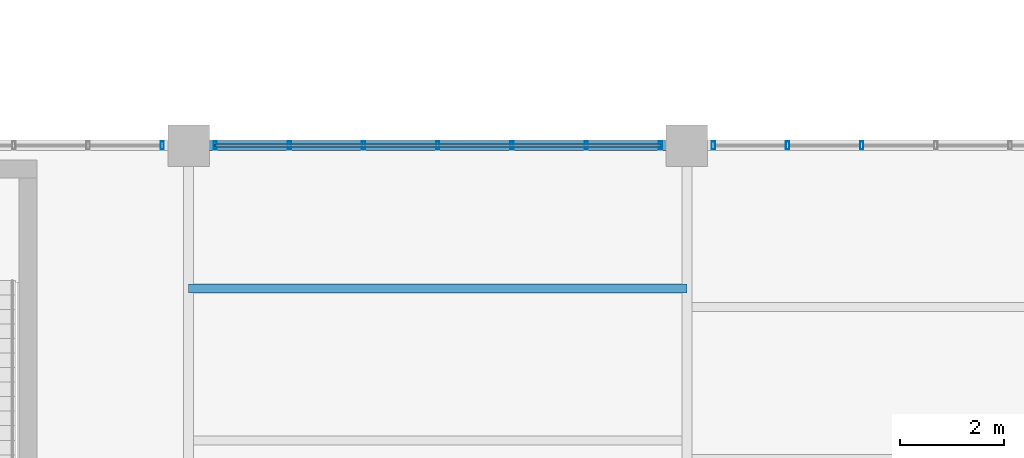
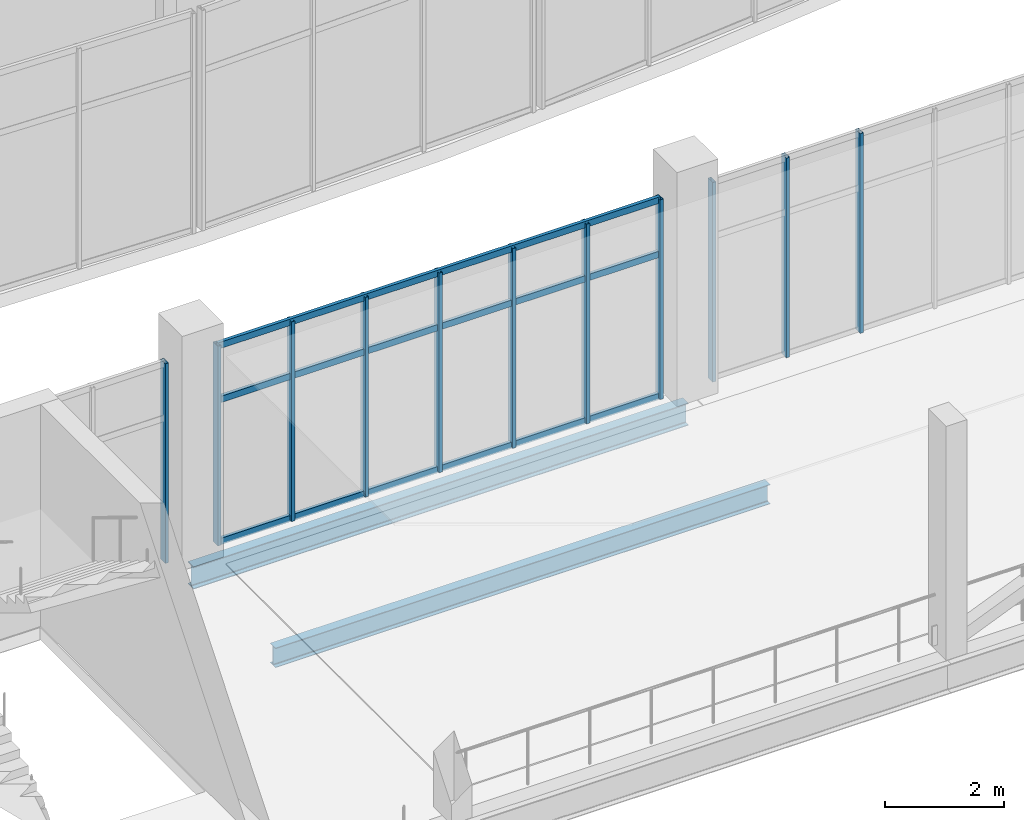
# One storey, part 60 of 157: 14 members, 2 beams, 3 elements without a shape of their own.
"""IFC4 building model written with IfcOpenShell, lengths in metres."""

import ifcopenshell
import ifcopenshell.guid

model = None  # the IFC model being written
_history = None  # IfcOwnerHistory: only IFC2X3 demands one
_inside = {}  # id of a spatial element -> (the spatial element, [elements in it])
_under = {}  # id of a project, library or spatial element -> (it, [spatial elements below it])
_declared = {}  # id of a project -> (the project, [libraries it declares])
_typed = {}  # id of a type object -> (the type object, [elements of that type])
_made_of = {}  # id of a material, layer set ... -> (it, [elements and type objects made of it])


def new_model(schema):
    """Start an empty IFC model of exactly this schema.

    Asked for "IFC4X3", IfcOpenShell would pick the latest addendum, in which some entities
    have other attributes; the version numbers below select the first issue.
    IFC2X3 requires an IfcOwnerHistory on every rooted entity: one is made here for all.
    """
    global model, _history
    if schema == "IFC4X3":
        model = ifcopenshell.file(schema_version=(4, 3, 0, 0))
    else:
        model = ifcopenshell.file(schema=schema)
    _inside.clear()
    _under.clear()
    _declared.clear()
    _typed.clear()
    _made_of.clear()
    _history = None
    if model.schema == "IFC2X3":
        org = make("IfcOrganization", Name="unknown")
        user = make(
            "IfcPersonAndOrganization",
            ThePerson=make("IfcPerson", FamilyName="unknown"),
            TheOrganization=org,
        )
        app = make(
            "IfcApplication",
            ApplicationDeveloper=org,
            Version="unknown",
            ApplicationFullName="unknown",
            ApplicationIdentifier="unknown",
        )
        _history = make(
            "IfcOwnerHistory",
            OwningUser=user,
            OwningApplication=app,
            ChangeAction="ADDED",
            CreationDate=0,
        )
    return model


def make(cls, **values):
    """One entity of the class cls with the attributes given. An attribute that is None is left unset."""
    return model.create_entity(
        cls, **{name: value for name, value in values.items() if value is not None}
    )


def rooted(cls, **values):
    """An entity with a GlobalId (a new one), such as an element, a storey or a relation."""
    return make(cls, GlobalId=ifcopenshell.guid.new(), OwnerHistory=_history, **values)


def si_unit(unit_type, name, prefix=None):
    """IfcSIUnit, for example si_unit("LENGTHUNIT", "METRE", prefix="MILLI")."""
    return make("IfcSIUnit", UnitType=unit_type, Prefix=prefix, Name=name)


def assignment(units):
    """IfcUnitAssignment: the units of a project."""
    return None if units is None else make("IfcUnitAssignment", Units=units)


def point(xyz):
    """IfcCartesianPoint."""
    return None if xyz is None else make("IfcCartesianPoint", Coordinates=xyz)


def direction(xyz):
    """IfcDirection."""
    return None if xyz is None else make("IfcDirection", DirectionRatios=xyz)


def frame(location, z_axis=None, x_axis=None):
    """IfcAxis2Placement3D, a coordinate frame: its origin and axes. An axis left out is left unset."""
    return make(
        "IfcAxis2Placement3D",
        Location=point(location),
        Axis=direction(z_axis),
        RefDirection=direction(x_axis),
    )


def frame_2d(location, x_axis=None):
    """IfcAxis2Placement2D, a coordinate frame in the plane: its origin and x axis."""
    return make(
        "IfcAxis2Placement2D", Location=point(location), RefDirection=direction(x_axis)
    )


def origin():
    """The frame at (0, 0, 0) with its axes left unset."""
    return frame((0.0, 0.0, 0.0))


def origin_2d():
    """The frame at (0, 0) in the plane with its x axis left unset."""
    return frame_2d((0.0, 0.0))


def place(relative_to, where):
    """IfcLocalPlacement: puts the frame where relative to a parent placement (None: the world)."""
    return make(
        "IfcLocalPlacement", PlacementRelTo=relative_to, RelativePlacement=where
    )


def context(
    kind, dimensions, precision=None, world=None, true_north=None, identifier=None
):
    """IfcGeometricRepresentationContext, for example the 3D "Model" context."""
    return make(
        "IfcGeometricRepresentationContext",
        ContextIdentifier=identifier,
        ContextType=kind,
        CoordinateSpaceDimension=dimensions,
        Precision=precision,
        WorldCoordinateSystem=world,
        TrueNorth=true_north,
    )


def subcontext(parent, identifier, kind, view, scale=None):
    """IfcGeometricRepresentationSubContext, for example "Body" below "Model"."""
    return make(
        "IfcGeometricRepresentationSubContext",
        ContextIdentifier=identifier,
        ContextType=kind,
        ParentContext=parent,
        TargetScale=scale,
        TargetView=view,
    )


def project(units=None, contexts=None):
    """IfcProject with its units and contexts."""
    return rooted(
        "IfcProject",
        Name="project",
        RepresentationContexts=contexts,
        UnitsInContext=assignment(units),
    )


def spatial(cls, under=None, at=None, **own):
    """A site, building, storey or space (cls), placed at a placement, below another one or the project."""
    s = rooted(cls, ObjectPlacement=at, **own)
    if under is not None:
        _under.setdefault(under.id(), (under, []))[1].append(s)
    return s


def profile(cls, at=None, kind="AREA", **sizes):
    """A parametric profile (cls). Its sizes go by their IFC names, for example OverallWidth=200.0."""
    return make(cls, ProfileType=kind, Position=at, **sizes)


def hollow_rectangle(**sizes):
    """IfcRectangleHollowProfileDef."""
    return profile("IfcRectangleHollowProfileDef", **sizes)


def i_section(**sizes):
    """IfcIShapeProfileDef."""
    return profile("IfcIShapeProfileDef", **sizes)


def extrude(swept, where, along, depth):
    """IfcExtrudedAreaSolid: the profile swept, set in the frame where, extruded along a direction by depth."""
    return make(
        "IfcExtrudedAreaSolid",
        SweptArea=swept,
        Position=where,
        ExtrudedDirection=direction(along),
        Depth=depth,
    )


def shape(context_of_items, identifier, shape_type, items):
    """IfcShapeRepresentation: the items that make up one representation, for example the "Body"."""
    return make(
        "IfcShapeRepresentation",
        ContextOfItems=context_of_items,
        RepresentationIdentifier=identifier,
        RepresentationType=shape_type,
        Items=items,
    )


def material(Name=None, Category=None):
    """IfcMaterial."""
    return make("IfcMaterial", Name=Name, Category=Category)


def layer(
    of_material, thickness, ventilated=None, Name=None, Category=None, Priority=None
):
    """IfcMaterialLayer: one layer of a wall or slab, of a material (None: an air gap)."""
    return make(
        "IfcMaterialLayer",
        Material=of_material,
        LayerThickness=thickness,
        IsVentilated=ventilated,
        Name=Name,
        Category=Category,
        Priority=Priority,
    )


def layer_set(layers, Name=None):
    """IfcMaterialLayerSet."""
    return make("IfcMaterialLayerSet", MaterialLayers=layers, LayerSetName=Name)


def material_profile(
    of_material, cross_section, Name=None, Category=None, Priority=None
):
    """IfcMaterialProfile: a cross section and its material."""
    return make(
        "IfcMaterialProfile",
        Name=Name,
        Material=of_material,
        Profile=cross_section,
        Priority=Priority,
        Category=Category,
    )


def profile_set(profiles, Name=None, composite=None):
    """IfcMaterialProfileSet."""
    return make(
        "IfcMaterialProfileSet",
        Name=Name,
        MaterialProfiles=profiles,
        CompositeProfile=composite,
    )


def made_of(thing, what):
    """Note that an element or type object is made of a material, layer set ...; save() writes the relation."""
    if what is not None:
        _made_of.setdefault(what.id(), (what, []))[1].append(thing)
    return thing


def type_object(cls, material=None, **own):
    """A type object (cls), such as IfcWallType, which elements share."""
    return made_of(rooted(cls, **own), material)


def element(
    cls,
    number,
    at=None,
    inside=None,
    cuts=None,
    type_object=None,
    material=None,
    context=None,
    identifier="Body",
    shape_type=None,
    held_by="IfcProductDefinitionShape",
    body=None,
    shapes=None,
    **own,
):
    """One element of the class cls, such as IfcWall. Its Tag is "e" and its number.

    at: its placement. inside: the storey or other place that contains it. cuts: it is an
    opening in that element (IfcRelVoidsElement). A single representation is given by context,
    identifier, shape_type and body (its items); several are given by shapes. held_by: the class
    of the entity that holds the representations. save() writes the other relations.
    """
    e = rooted(cls, Tag="e%d" % number, ObjectPlacement=at, **own)
    if body is not None:
        shapes = [shape(context, identifier, shape_type, body)]
    if shapes is not None:
        e.Representation = make(held_by, Representations=shapes)
    if inside is not None:
        _inside.setdefault(inside.id(), (inside, []))[1].append(e)
    if cuts is not None:
        rooted(
            "IfcRelVoidsElement", RelatingBuildingElement=cuts, RelatedOpeningElement=e
        )
    if type_object is not None:
        _typed.setdefault(type_object.id(), (type_object, []))[1].append(e)
    return made_of(e, material)


def aggregate(whole, parts):
    """IfcRelAggregates: a whole, such as a stair, and the parts it consists of."""
    return rooted("IfcRelAggregates", RelatingObject=whole, RelatedObjects=parts)


def save(model, path):
    """Write the relations noted so far, then the file.

    IfcRelAggregates (storeys below a building ...), IfcRelContainedInSpatialStructure (elements
    in a storey), IfcRelDefinesByType, IfcRelAssociatesMaterial and IfcRelDeclares: one each for
    every whole, place, type object, material and project.
    """
    for whole, parts in _under.values():
        aggregate(whole, parts)
    for where, things in _inside.values():
        rooted(
            "IfcRelContainedInSpatialStructure",
            RelatedElements=things,
            RelatingStructure=where,
        )
    for kind, things in _typed.values():
        rooted("IfcRelDefinesByType", RelatedObjects=things, RelatingType=kind)
    for what, things in _made_of.values():
        rooted("IfcRelAssociatesMaterial", RelatedObjects=things, RelatingMaterial=what)
    for by, libraries in _declared.values():
        rooted("IfcRelDeclares", RelatingContext=by, RelatedDefinitions=libraries)
    model.write(path)


model = new_model("IFC4")

# Units and contexts
model_context = context("Model", 3, precision=1e-05, world=origin(), true_north=direction((0.0, 1.0)))
body_context = subcontext(model_context, "Body", "Model", "MODEL_VIEW")
ifc_project = project(units=[si_unit("LENGTHUNIT", "METRE"), si_unit("AREAUNIT", "SQUARE_METRE"), si_unit("VOLUMEUNIT", "CUBIC_METRE"), si_unit("PLANEANGLEUNIT", "RADIAN"), si_unit("MASSUNIT", "GRAM", prefix="KILO")], contexts=[model_context])

# Site, building, storey
site_placement = place(None, origin())
site = spatial("IfcSite", under=ifc_project, at=site_placement, CompositionType="ELEMENT")
building_placement = place(site_placement, origin())
building = spatial("IfcBuilding", under=site, at=building_placement, Name="Chalmorin Arch Market", CompositionType="ELEMENT")
storey_placement = place(building_placement, frame((0.0, 0.0, 4.800048828125)))
storey = spatial("IfcBuildingStorey", under=building, at=storey_placement, Name="L01", CompositionType="ELEMENT", Elevation=4.800048828125)

# Curtain wall, member
ifc_material_1 = material(Name="Aluminium 6063-T6", Category="aluminium")
ifc_layer = layer(ifc_material_1, 0.159912109375)
ifc_layer_set = layer_set([ifc_layer], Name="Aluminium 6063-T6")
curtain_wall_type = type_object("IfcCurtainWallType", Name="MarketClerestoryCurtainWall-CW1-8580x4100", PredefinedType="NOTDEFINED", material=ifc_layer_set)
curtain_wall_1_placement = place(storey_placement, origin())
curtain_wall_1 = element("IfcCurtainWall", 1, at=curtain_wall_1_placement, inside=storey, type_object=curtain_wall_type, Name="CW-01-009", PredefinedType="NOTDEFINED")
ifc_material_profile_1 = material_profile(ifc_material_1, hollow_rectangle(XDim=0.06494140625, YDim=0.159912109375, WallThickness=0.00390625, at=origin_2d()), Name="ALU65X160X4")
ifc_profile_set_1 = profile_set([ifc_material_profile_1], Name="Aluminium 6063-T6")
member_type_1 = type_object("IfcMemberType", Name="CurtainWallMullion-65x160", PredefinedType="MULLION", material=ifc_profile_set_1)
member_1_placement = place(storey_placement, frame((76.2900390625, 58.800048828125, 0.0), z_axis=(0.0, 0.0, 1.0), x_axis=(1.0, 0.0, 0.0)))
member_1 = element("IfcMember", 2, at=member_1_placement, type_object=member_type_1, Name="ML-009-07", PredefinedType="MULLION", context=body_context, shape_type="SweptSolid", body=[
    extrude(hollow_rectangle(XDim=0.06494140625, YDim=0.159912109375, WallThickness=0.00390625, at=origin_2d()), origin(), (0.0, 0.0, 1.0), 4.095947265625),
])
aggregate(curtain_wall_1, [member_1])

# Curtain wall, members
curtain_wall_2_placement = place(storey_placement, origin())
curtain_wall_2 = element("IfcCurtainWall", 3, at=curtain_wall_2_placement, inside=storey, type_object=curtain_wall_type, Name="CW-01-012", PredefinedType="NOTDEFINED")
member_2_placement = place(storey_placement, frame((77.31005859375, 58.800048828125, 0.0), z_axis=(0.0, 0.0, 1.0), x_axis=(1.0, 0.0, 0.0)))
member_2 = element("IfcMember", 4, at=member_2_placement, type_object=member_type_1, Name="ML-012-01", PredefinedType="MULLION", context=body_context, shape_type="SweptSolid", body=[
    extrude(hollow_rectangle(XDim=0.06494140625, YDim=0.159912109375, WallThickness=0.00390625, at=origin_2d()), origin(), (0.0, 0.0, 1.0), 4.095947265625),
])
member_3_placement = place(storey_placement, frame((78.739990234375, 58.800048828125, 0.0), z_axis=(0.0, 0.0, 1.0), x_axis=(1.0, 0.0, 0.0)))
member_3 = element("IfcMember", 5, at=member_3_placement, type_object=member_type_1, Name="ML-012-02", PredefinedType="MULLION", context=body_context, shape_type="SweptSolid", body=[
    extrude(hollow_rectangle(XDim=0.06494140625, YDim=0.159912109375, WallThickness=0.00390625, at=origin_2d()), origin(), (0.0, 0.0, 1.0), 4.095947265625),
])
member_4_placement = place(storey_placement, frame((80.169921875, 58.800048828125, 0.0), z_axis=(0.0, 0.0, 1.0), x_axis=(1.0, 0.0, 0.0)))
member_4 = element("IfcMember", 6, at=member_4_placement, type_object=member_type_1, Name="ML-012-03", PredefinedType="MULLION", context=body_context, shape_type="SweptSolid", body=[
    extrude(hollow_rectangle(XDim=0.06494140625, YDim=0.159912109375, WallThickness=0.00390625, at=origin_2d()), origin(), (0.0, 0.0, 1.0), 4.095947265625),
])
member_5_placement = place(storey_placement, frame((81.60009765625, 58.800048828125, 0.0), z_axis=(0.0, 0.0, 1.0), x_axis=(1.0, 0.0, 0.0)))
member_5 = element("IfcMember", 7, at=member_5_placement, type_object=member_type_1, Name="ML-012-04", PredefinedType="MULLION", context=body_context, shape_type="SweptSolid", body=[
    extrude(hollow_rectangle(XDim=0.06494140625, YDim=0.159912109375, WallThickness=0.00390625, at=origin_2d()), origin(), (0.0, 0.0, 1.0), 4.095947265625),
])
member_6_placement = place(storey_placement, frame((83.030029296875, 58.800048828125, 0.0), z_axis=(0.0, 0.0, 1.0), x_axis=(1.0, 0.0, 0.0)))
member_6 = element("IfcMember", 8, at=member_6_placement, type_object=member_type_1, Name="ML-012-05", PredefinedType="MULLION", context=body_context, shape_type="SweptSolid", body=[
    extrude(hollow_rectangle(XDim=0.06494140625, YDim=0.159912109375, WallThickness=0.00390625, at=origin_2d()), origin(), (0.0, 0.0, 1.0), 4.095947265625),
])
member_7_placement = place(storey_placement, frame((84.4599609375, 58.800048828125, 0.0), z_axis=(0.0, 0.0, 1.0), x_axis=(1.0, 0.0, 0.0)))
member_7 = element("IfcMember", 9, at=member_7_placement, type_object=member_type_1, Name="ML-012-06", PredefinedType="MULLION", context=body_context, shape_type="SweptSolid", body=[
    extrude(hollow_rectangle(XDim=0.06494140625, YDim=0.159912109375, WallThickness=0.00390625, at=origin_2d()), origin(), (0.0, 0.0, 1.0), 4.095947265625),
])
member_8_placement = place(storey_placement, frame((85.889892578125, 58.800048828125, 0.0), z_axis=(0.0, 0.0, 1.0), x_axis=(1.0, 0.0, 0.0)))
member_8 = element("IfcMember", 10, at=member_8_placement, type_object=member_type_1, Name="ML-012-07", PredefinedType="MULLION", context=body_context, shape_type="SweptSolid", body=[
    extrude(hollow_rectangle(XDim=0.06494140625, YDim=0.159912109375, WallThickness=0.00390625, at=origin_2d()), origin(), (0.0, 0.0, 1.0), 4.095947265625),
])

curtain_wall_3_placement = place(storey_placement, origin())
curtain_wall_3 = element("IfcCurtainWall", 11, at=curtain_wall_3_placement, inside=storey, type_object=curtain_wall_type, Name="CW-01-015", PredefinedType="NOTDEFINED")
member_9_placement = place(storey_placement, frame((86.909912109375, 58.800048828125, 0.0), z_axis=(0.0, 0.0, 1.0), x_axis=(1.0, 0.0, 0.0)))
member_9 = element("IfcMember", 12, at=member_9_placement, type_object=member_type_1, Name="ML-015-01", PredefinedType="MULLION", context=body_context, shape_type="SweptSolid", body=[
    extrude(hollow_rectangle(XDim=0.06494140625, YDim=0.159912109375, WallThickness=0.00390625, at=origin_2d()), origin(), (0.0, 0.0, 1.0), 4.095947265625),
])
member_10_placement = place(storey_placement, frame((88.340087890625, 58.800048828125, 0.0), z_axis=(0.0, 0.0, 1.0), x_axis=(1.0, 0.0, 0.0)))
member_10 = element("IfcMember", 13, at=member_10_placement, type_object=member_type_1, Name="ML-015-02", PredefinedType="MULLION", context=body_context, shape_type="SweptSolid", body=[
    extrude(hollow_rectangle(XDim=0.06494140625, YDim=0.159912109375, WallThickness=0.00390625, at=origin_2d()), origin(), (0.0, 0.0, 1.0), 4.095947265625),
])
member_11_placement = place(storey_placement, frame((89.77001953125, 58.800048828125, 0.0), z_axis=(0.0, 0.0, 1.0), x_axis=(1.0, 0.0, 0.0)))
member_11 = element("IfcMember", 14, at=member_11_placement, type_object=member_type_1, Name="ML-015-03", PredefinedType="MULLION", context=body_context, shape_type="SweptSolid", body=[
    extrude(hollow_rectangle(XDim=0.06494140625, YDim=0.159912109375, WallThickness=0.00390625, at=origin_2d()), origin(), (0.0, 0.0, 1.0), 4.095947265625),
])
aggregate(curtain_wall_3, [member_9, member_10, member_11])

# Member
ifc_material_profile_2 = material_profile(ifc_material_1, hollow_rectangle(XDim=0.06494140625, YDim=0.1298828125, WallThickness=0.00390625, at=origin_2d()), Name="ALU65X130X4")
ifc_profile_set_2 = profile_set([ifc_material_profile_2], Name="Aluminium 6063-T6")
member_type_2 = type_object("IfcMemberType", Name="CurtainWallTransom-65x130", PredefinedType="USERDEFINED", material=ifc_profile_set_2)
member_12_placement = place(storey_placement, frame((77.31005859375, 58.800048828125, 0.034912109375), z_axis=(1.0, 0.0, 0.0), x_axis=(0.0, 1.0, 0.0)))
member_12 = element("IfcMember", 15, at=member_12_placement, type_object=member_type_2, Name="TR-012-01", ObjectType="TRANSOM", PredefinedType="USERDEFINED", context=body_context, shape_type="SweptSolid", body=[
    extrude(hollow_rectangle(XDim=0.06494140625, YDim=0.1298828125, WallThickness=0.00390625, at=origin_2d()), origin(), (0.0, 0.0, 1.0), 8.579833984375),
])

member_13_placement = place(storey_placement, frame((77.31005859375, 58.800048828125, 2.948974609375), z_axis=(1.0, 0.0, 0.0), x_axis=(0.0, 1.0, 0.0)))
member_13 = element("IfcMember", 16, at=member_13_placement, type_object=member_type_2, Name="TR-012-02", ObjectType="TRANSOM", PredefinedType="USERDEFINED", context=body_context, shape_type="SweptSolid", body=[
    extrude(hollow_rectangle(XDim=0.06494140625, YDim=0.1298828125, WallThickness=0.00390625, at=origin_2d()), origin(), (0.0, 0.0, 1.0), 8.579833984375),
])

member_14_placement = place(storey_placement, frame((77.31005859375, 58.800048828125, 4.06103515625), z_axis=(1.0, 0.0, 0.0), x_axis=(0.0, 1.0, 0.0)))
member_14 = element("IfcMember", 17, at=member_14_placement, type_object=member_type_2, Name="TR-012-03", ObjectType="TRANSOM", PredefinedType="USERDEFINED", context=body_context, shape_type="SweptSolid", body=[
    extrude(hollow_rectangle(XDim=0.06494140625, YDim=0.1298828125, WallThickness=0.00390625, at=origin_2d()), origin(), (0.0, 0.0, 1.0), 8.579833984375),
])

aggregate(curtain_wall_2, [member_2, member_3, member_4, member_5, member_6, member_7, member_8, member_12, member_13, member_14])

# Beams
ifc_material_2 = material(Name="Steel A992 Grade 50", Category="steel")
ifc_material_profile_3 = material_profile(ifc_material_2, i_section(OverallWidth=0.19091796875, OverallDepth=0.45703125, WebThickness=0.009033203125, FlangeThickness=0.014404296875, FilletRadius=0.02001953125, at=origin_2d()), Name="W18X50")
ifc_profile_set_3 = profile_set([ifc_material_profile_3], Name="Steel A992 Grade 50")
beam_type_1 = type_object("IfcBeamType", Name="PerimeterSpandrelBeam-W18X50", PredefinedType="SPANDREL", material=ifc_profile_set_3)
beam_1_placement = place(storey_placement, frame((76.800048828125, 58.800048828125, -0.48046875), z_axis=(1.0, 0.0, 0.0), x_axis=(0.0, 1.0, 0.0)))
element("IfcBeam", 18, at=beam_1_placement, inside=storey, type_object=beam_type_1, Name="SP-W18-0650", PredefinedType="SPANDREL", context=body_context, shape_type="SweptSolid", body=[
    extrude(i_section(OverallWidth=0.19091796875, OverallDepth=0.45703125, WebThickness=0.009033203125, FlangeThickness=0.014404296875, FilletRadius=0.02001953125, at=origin_2d()), origin(), (0.0, 0.0, 1.0), 9.599853515625),
])
ifc_material_profile_4 = material_profile(ifc_material_2, i_section(OverallWidth=0.177978515625, OverallDepth=0.403076171875, WebThickness=0.007568359375, FlangeThickness=0.010986328125, FilletRadius=0.01806640625, at=origin_2d()), Name="W16X36")
ifc_profile_set_4 = profile_set([ifc_material_profile_4], Name="Steel A992 Grade 50")
beam_type_2 = type_object("IfcBeamType", Name="SecondaryFloorJoist-W16X36", PredefinedType="JOIST", material=ifc_profile_set_4)
beam_2_placement = place(storey_placement, frame((76.800048828125, 56.046630859375, -0.45361328125), z_axis=(1.0, 0.0, 0.0), x_axis=(0.0, 1.0, 0.0)))
element("IfcBeam", 19, at=beam_2_placement, inside=storey, type_object=beam_type_2, Name="BJ-W16B-0669", PredefinedType="JOIST", context=body_context, shape_type="SweptSolid", body=[
    extrude(i_section(OverallWidth=0.177978515625, OverallDepth=0.403076171875, WebThickness=0.007568359375, FlangeThickness=0.010986328125, FilletRadius=0.01806640625, at=origin_2d()), origin(), (0.0, 0.0, 1.0), 9.599853515625),
])

save(model, "model.ifc")
